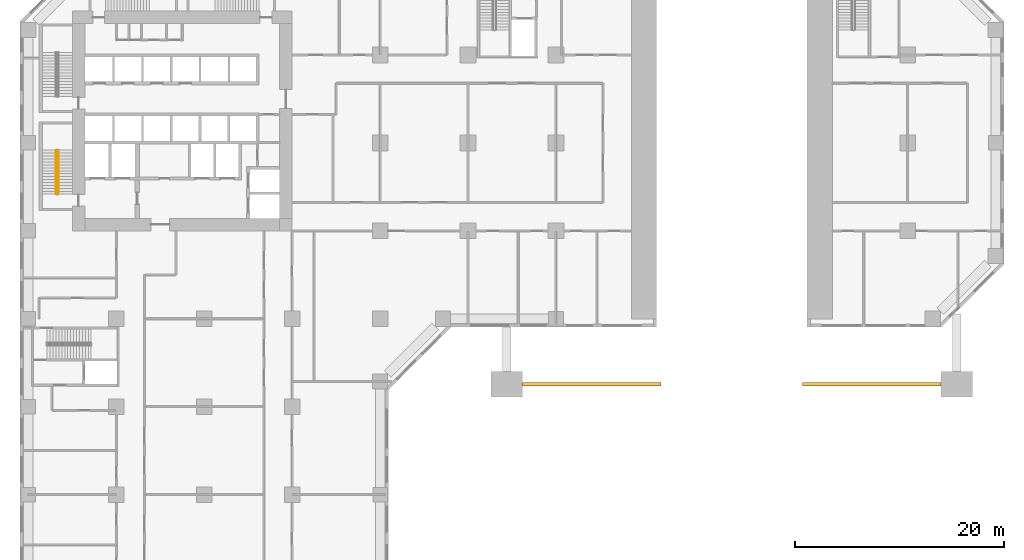
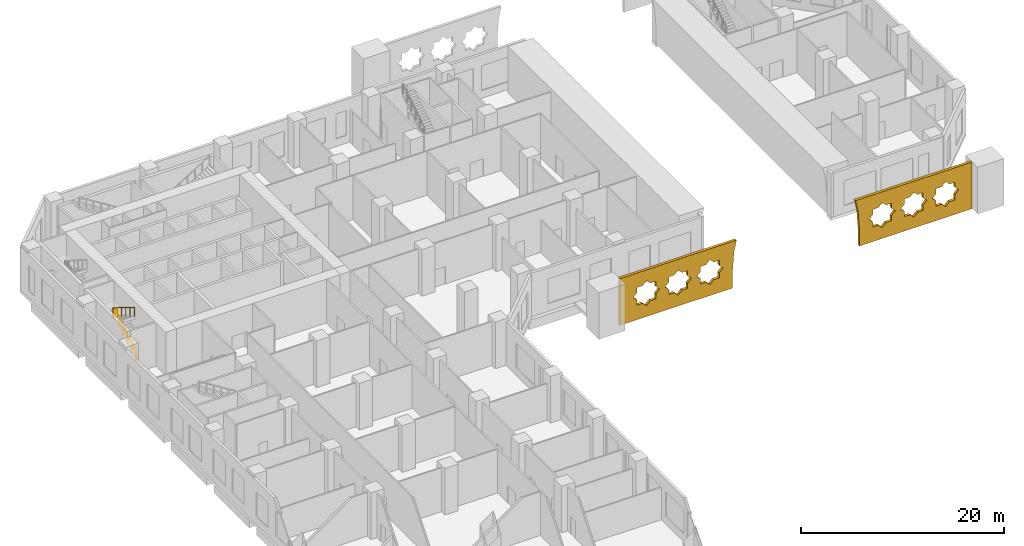
# One storey, part 14 of 17: 2 coverings, 2 railings.
"""IFC4 building model written with IfcOpenShell, lengths in metres."""

from ifc_helpers import new_model, si_unit, direction, frame, origin, origin_2d, place, context, subcontext, project, spatial, polyline, circle, outline, extrude, material, layer, layer_set, type_object, element, save


model = new_model("IFC4")

# Units and contexts
model_context = context("Model", 3, precision=1e-05, world=origin(), true_north=direction((0.0, 1.0)))
body_context = subcontext(model_context, "Body", "Model", "MODEL_VIEW")
ifc_project = project(units=[si_unit("LENGTHUNIT", "METRE"), si_unit("AREAUNIT", "SQUARE_METRE"), si_unit("VOLUMEUNIT", "CUBIC_METRE"), si_unit("PLANEANGLEUNIT", "RADIAN"), si_unit("MASSUNIT", "GRAM", prefix="KILO")], contexts=[model_context])

# Site, building, storey
site_placement = place(None, origin())
site = spatial("IfcSite", under=ifc_project, at=site_placement, CompositionType="ELEMENT")
building_placement = place(site_placement, origin())
building = spatial("IfcBuilding", under=site, at=building_placement, Name="Kawkab Arch Medical Tower", CompositionType="ELEMENT")
storey_placement = place(building_placement, frame((0.0, 0.0, 7.0)))
storey = spatial("IfcBuildingStorey", under=building, at=storey_placement, Name="L02", CompositionType="ELEMENT", Elevation=7.0)

# Coverings
ifc_material_1 = material(Name="Perforated bronze anodised aluminium, eight-point star pattern", Category="aluminium")
ifc_layer = layer(ifc_material_1, 0.300048828125)
ifc_layer_set = layer_set([ifc_layer], Name="Perforated bronze anodised aluminium, eight-point star pattern")
covering_type = type_object("IfcCoveringType", Name="Spandrel star screen 300", PredefinedType="USERDEFINED", material=ifc_layer_set)
placement = place(storey_placement, frame((0.0, -39.699951171875, -7.0), z_axis=(0.0, -1.0, 0.0), x_axis=(1.0, 0.0, 0.0)))
element("IfcCovering", 1, at=placement, inside=storey, type_object=covering_type, Name="Spandrel screen S 1.1", ObjectType="SCREEN", PredefinedType="USERDEFINED", context=body_context, shape_type="SweptSolid", body=[
    extrude(outline(polyline([(47.199951171875, 12.570068359375), (47.199951171875, 7.0), (60.0, 7.0), (60.0, 9.0), (60.158935546875, 11.256103515625), (60.447509765625, 12.60009765625), (47.201171875, 12.60009765625), (47.199951171875, 12.570068359375)]), holes=[polyline([(51.723876953125, 9.800048828125), (51.284423828125, 10.2392578125), (51.284423828125, 10.860595703125), (50.6630859375, 10.860595703125), (50.223876953125, 11.300048828125), (49.784423828125, 10.860595703125), (49.1630859375, 10.860595703125), (49.1630859375, 10.2392578125), (48.723876953125, 9.800048828125), (49.1630859375, 9.360595703125), (49.1630859375, 8.7392578125), (49.784423828125, 8.7392578125), (50.223876953125, 8.300048828125), (50.6630859375, 8.7392578125), (51.284423828125, 8.7392578125), (51.284423828125, 9.360595703125), (51.723876953125, 9.800048828125)]), polyline([(55.32373046875, 9.800048828125), (54.884521484375, 10.2392578125), (54.884521484375, 10.860595703125), (54.26318359375, 10.860595703125), (53.82373046875, 11.300048828125), (53.384521484375, 10.860595703125), (52.76318359375, 10.860595703125), (52.76318359375, 10.2392578125), (52.32373046875, 9.800048828125), (52.76318359375, 9.360595703125), (52.76318359375, 8.7392578125), (53.384521484375, 8.7392578125), (53.82373046875, 8.300048828125), (54.26318359375, 8.7392578125), (54.884521484375, 8.7392578125), (54.884521484375, 9.360595703125), (55.32373046875, 9.800048828125)]), polyline([(58.923828125, 9.800048828125), (58.484619140625, 10.2392578125), (58.484619140625, 10.860595703125), (57.863037109375, 10.860595703125), (57.423828125, 11.300048828125), (56.984619140625, 10.860595703125), (56.363037109375, 10.860595703125), (56.363037109375, 10.2392578125), (55.923828125, 9.800048828125), (56.363037109375, 9.360595703125), (56.363037109375, 8.7392578125), (56.984619140625, 8.7392578125), (57.423828125, 8.300048828125), (57.863037109375, 8.7392578125), (58.484619140625, 8.7392578125), (58.484619140625, 9.360595703125), (58.923828125, 9.800048828125)])]), origin(), (0.0, 0.0, 1.0), 0.300048828125),
])
element("IfcCovering", 2, at=placement, inside=storey, type_object=covering_type, Name="Spandrel screen S 1.2", ObjectType="SCREEN", PredefinedType="USERDEFINED", context=body_context, shape_type="SweptSolid", body=[
    extrude(outline(polyline([(87.19873046875, 12.60009765625), (73.952392578125, 12.60009765625), (74.240966796875, 11.256103515625), (74.39990234375, 9.0), (74.39990234375, 7.0), (87.199951171875, 7.0), (87.199951171875, 12.570068359375), (87.19873046875, 12.60009765625)]), holes=[polyline([(78.476318359375, 9.800048828125), (78.036865234375, 10.2392578125), (78.036865234375, 10.860595703125), (77.41552734375, 10.860595703125), (76.976318359375, 11.300048828125), (76.536865234375, 10.860595703125), (75.91552734375, 10.860595703125), (75.91552734375, 10.2392578125), (75.476318359375, 9.800048828125), (75.91552734375, 9.360595703125), (75.91552734375, 8.7392578125), (76.536865234375, 8.7392578125), (76.976318359375, 8.300048828125), (77.41552734375, 8.7392578125), (78.036865234375, 8.7392578125), (78.036865234375, 9.360595703125), (78.476318359375, 9.800048828125)]), polyline([(82.076171875, 9.800048828125), (81.636962890625, 10.2392578125), (81.636962890625, 10.860595703125), (81.015380859375, 10.860595703125), (80.576171875, 11.300048828125), (80.136962890625, 10.860595703125), (79.515380859375, 10.860595703125), (79.515380859375, 10.2392578125), (79.076171875, 9.800048828125), (79.515380859375, 9.360595703125), (79.515380859375, 8.7392578125), (80.136962890625, 8.7392578125), (80.576171875, 8.300048828125), (81.015380859375, 8.7392578125), (81.636962890625, 8.7392578125), (81.636962890625, 9.360595703125), (82.076171875, 9.800048828125)]), polyline([(85.67626953125, 9.800048828125), (85.23681640625, 10.2392578125), (85.23681640625, 10.860595703125), (84.615478515625, 10.860595703125), (84.17626953125, 11.300048828125), (83.73681640625, 10.860595703125), (83.115478515625, 10.860595703125), (83.115478515625, 10.2392578125), (82.67626953125, 9.800048828125), (83.115478515625, 9.360595703125), (83.115478515625, 8.7392578125), (83.73681640625, 8.7392578125), (84.17626953125, 8.300048828125), (84.615478515625, 8.7392578125), (85.23681640625, 8.7392578125), (85.23681640625, 9.360595703125), (85.67626953125, 9.800048828125)])]), origin(), (0.0, 0.0, 1.0), 0.300048828125),
])

# Railings
ifc_material_2 = material(Name="Stainless steel", Category="steel")
railing_type = type_object("IfcRailingType", Name="Stair guard 1100", PredefinedType="GUARDRAIL", material=ifc_material_2)
railing_1_placement = place(storey_placement, frame((2.89990234375, -21.699951171875, 0.175048828125)))
element("IfcRailing", 3, at=railing_1_placement, inside=storey, type_object=railing_type, Name="L02 ST2 stair guard 1", PredefinedType="GUARDRAIL", context=body_context, shape_type="SweptSolid", body=[
    extrude(circle(Radius=0.02392578125, at=origin_2d()), frame((0.0, 0.0, 1.076171875), z_axis=(0.0, 0.847995534698, 0.530003370869), x_axis=(-1.0, 0.0, 0.0)), (0.0, 0.0, 1.0), 4.952880859375),
    extrude(circle(Radius=0.02099609375, at=origin_2d()), origin(), (0.0, 0.0, 1.0), 1.052001953125),
    extrude(circle(Radius=0.02099609375, at=origin_2d()), frame((0.0, 0.840087890625, 0.52490234375)), (0.0, 0.0, 1.0), 1.052001953125),
    extrude(circle(Radius=0.02099609375, at=origin_2d()), frame((0.0, 1.679931640625, 1.050048828125)), (0.0, 0.0, 1.0), 1.052001953125),
    extrude(circle(Radius=0.02099609375, at=origin_2d()), frame((0.0, 2.52001953125, 1.574951171875)), (0.0, 0.0, 1.0), 1.052001953125),
    extrude(circle(Radius=0.02099609375, at=origin_2d()), frame((0.0, 3.35986328125, 2.10009765625)), (0.0, 0.0, 1.0), 1.052001953125),
    extrude(circle(Radius=0.02099609375, at=origin_2d()), frame((0.0, 4.199951171875, 2.625)), (0.0, 0.0, 1.0), 1.052001953125),
])
railing_2_placement = place(storey_placement, frame((2.64990234375, -17.5, 2.97509765625)))
element("IfcRailing", 4, at=railing_2_placement, inside=storey, type_object=railing_type, Name="L02 ST2 stair guard 3", PredefinedType="GUARDRAIL", context=body_context, shape_type="SweptSolid", body=[
    extrude(circle(Radius=0.02392578125, at=origin_2d()), frame((0.0, 0.0, 1.076171875), z_axis=(0.0, -0.847995534698, 0.530003370869), x_axis=(1.0, 0.0, 0.0)), (0.0, 0.0, 1.0), 4.952880859375),
    extrude(circle(Radius=0.02099609375, at=origin_2d()), origin(), (0.0, 0.0, 1.0), 1.052001953125),
    extrude(circle(Radius=0.02099609375, at=origin_2d()), frame((0.0, -0.840087890625, 0.52490234375)), (0.0, 0.0, 1.0), 1.052001953125),
    extrude(circle(Radius=0.02099609375, at=origin_2d()), frame((0.0, -1.679931640625, 1.050048828125)), (0.0, 0.0, 1.0), 1.052001953125),
    extrude(circle(Radius=0.02099609375, at=origin_2d()), frame((0.0, -2.52001953125, 1.574951171875)), (0.0, 0.0, 1.0), 1.052001953125),
    extrude(circle(Radius=0.02099609375, at=origin_2d()), frame((0.0, -3.35986328125, 2.10009765625)), (0.0, 0.0, 1.0), 1.052001953125),
    extrude(circle(Radius=0.02099609375, at=origin_2d()), frame((0.0, -4.199951171875, 2.625)), (0.0, 0.0, 1.0), 1.052001953125),
])

save(model, "model.ifc")
